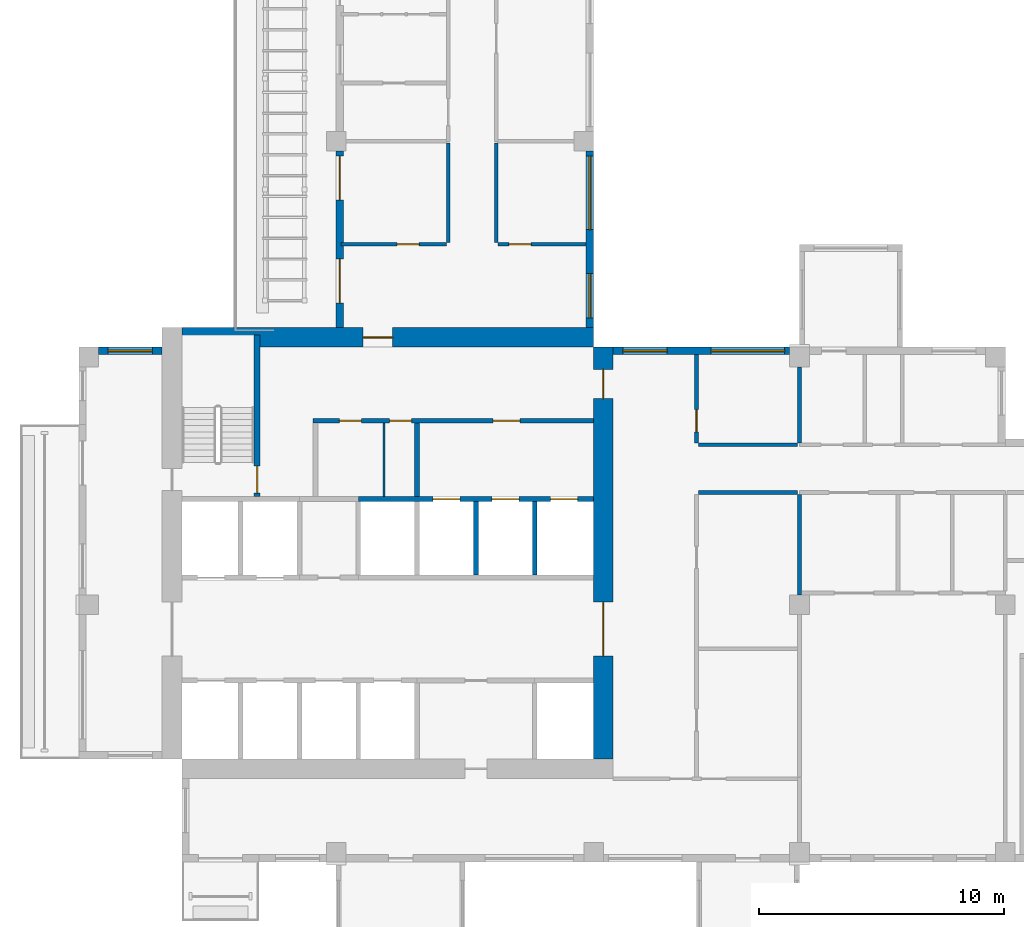
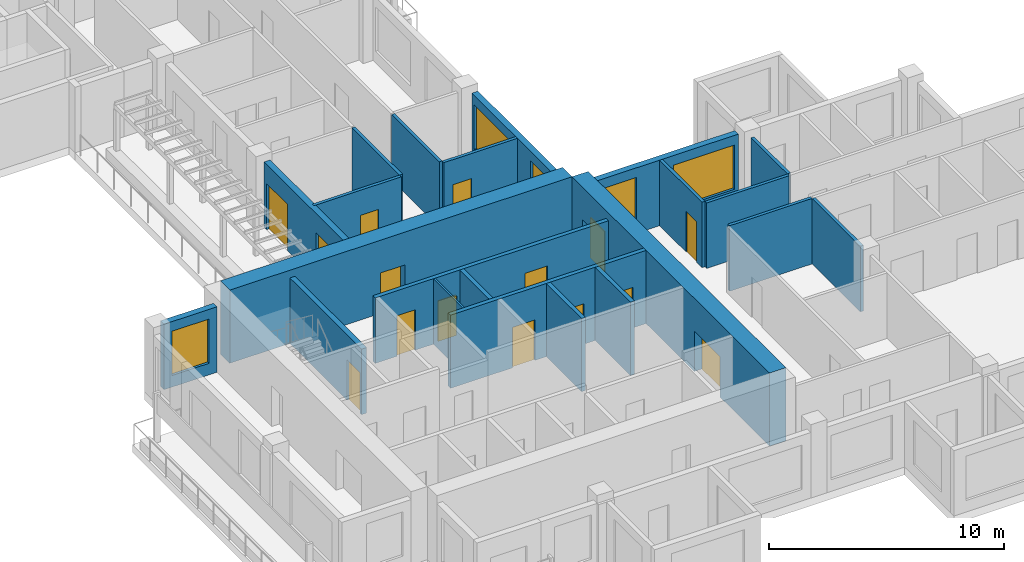
# One storey, part 5 of 14: 22 walls, 15 doors, 5 windows, 20 openings.
"""IFC4 building model written with IfcOpenShell, lengths in metres."""

from ifc_helpers import new_model, si_unit, direction, frame, frame_2d, origin, place, context, subcontext, project, spatial, rectangle, extrude, source, transform, mapped, material, layer, layer_set, type_object, element, fill, save


model = new_model("IFC4")

# Units and contexts
model_context = context("Model", 3, precision=1e-05, world=origin(), true_north=direction((0.0, 1.0)))
body_context = subcontext(model_context, "Body", "Model", "MODEL_VIEW")
ifc_project = project(units=[si_unit("LENGTHUNIT", "METRE"), si_unit("AREAUNIT", "SQUARE_METRE"), si_unit("VOLUMEUNIT", "CUBIC_METRE"), si_unit("PLANEANGLEUNIT", "RADIAN"), si_unit("MASSUNIT", "GRAM", prefix="KILO")], contexts=[model_context])

# Site, building, storey
site_placement = place(None, origin())
site = spatial("IfcSite", under=ifc_project, at=site_placement, CompositionType="ELEMENT")
building_placement = place(site_placement, origin())
building = spatial("IfcBuilding", under=site, at=building_placement, Name="Aurelian Terraces", CompositionType="ELEMENT")
storey_placement = place(building_placement, frame((0.0, 0.0, 231.0)))
storey = spatial("IfcBuildingStorey", under=building, at=storey_placement, Name="L52", CompositionType="ELEMENT", Elevation=231.0)

# Wall, openings, doors
ifc_material_1 = material(Name="Concrete fc' 70 MPa", Category="concrete")
ifc_layer_1 = layer(ifc_material_1, 0.8)
ifc_layer_set_1 = layer_set([ifc_layer_1], Name="CORE WALL 800 FC70")
wall_type_1 = type_object("IfcWallType", Name="CORE WALL 800 FC70", PredefinedType="SHEAR", material=ifc_layer_set_1)
shared_shape_1 = source(origin(), body_context, "Body", "SweptSolid", [
    extrude(rectangle(XDim=16.8, YDim=0.8, at=frame_2d((8.4, 0.0))), origin(), (0.0, 0.0, 1.0), 3.8),
])
wall_1_placement = place(storey_placement, frame((21.4, 4.2, 0.0), z_axis=(0.0, 0.0, 1.0), x_axis=(0.0, 1.0, 0.0)))
wall_1 = element("IfcWall", 1, at=wall_1_placement, inside=storey, type_object=wall_type_1, Name="Core wall E L52", PredefinedType="SHEAR", context=body_context, shape_type="MappedRepresentation", body=[
    mapped(shared_shape_1, transform((0.0, 0.0, 0.0), scale=1.0)),
])
shared_shape_2 = source(origin(), body_context, "Body", "SweptSolid", [
    extrude(rectangle(XDim=2.2, YDim=2.1, at=frame_2d((1.1, 1.05))), frame((0.0, 0.41, 0.0), z_axis=(0.0, -1.0, 0.0), x_axis=(1.0, 0.0, 0.0)), (0.0, 0.0, 1.0), 0.82),
])
opening_1_placement = place(wall_1_placement, frame((4.2, 0.0, 0.0)))
opening_1 = element("IfcOpeningElement", 2, at=opening_1_placement, cuts=wall_1, Name="Opening 65521", PredefinedType="OPENING", context=body_context, shape_type="MappedRepresentation", body=[
    mapped(shared_shape_2, transform((0.0, 0.0, 0.0), scale=1.0)),
])
shared_shape_3 = source(origin(), body_context, "Body", "SweptSolid", [
    extrude(rectangle(XDim=1.2, YDim=2.1, at=frame_2d((0.6, 1.05))), frame((0.0, 0.41, 0.0), z_axis=(0.0, -1.0, 0.0), x_axis=(1.0, 0.0, 0.0)), (0.0, 0.0, 1.0), 0.82),
])
opening_2_placement = place(wall_1_placement, frame((14.7, 0.0, 0.0)))
opening_2 = element("IfcOpeningElement", 3, at=opening_2_placement, cuts=wall_1, Name="Opening 65524", PredefinedType="OPENING", context=body_context, shape_type="MappedRepresentation", body=[
    mapped(shared_shape_3, transform((0.0, 0.0, 0.0), scale=1.0)),
])
ifc_material_2 = material(Name="Steel door leaf", Category="steel")
door_type_1 = type_object("IfcDoorType", Name="Core fire door 1200x2100", OperationType="SINGLE_SWING_LEFT", PredefinedType="DOOR", material=ifc_material_2)
shared_shape_4 = source(origin(), body_context, "Body", "SweptSolid", [
    extrude(rectangle(XDim=1.2, YDim=2.1, at=frame_2d((0.6, 1.05))), frame((0.0, 0.025, 0.0), z_axis=(0.0, -1.0, 0.0), x_axis=(1.0, 0.0, 0.0)), (0.0, 0.0, 1.0), 0.05),
])
door_1_placement = place(opening_2_placement, origin())
door_1 = element("IfcDoor", 4, at=door_1_placement, inside=storey, type_object=door_type_1, Name="Core door 65524", OperationType="SINGLE_SWING_LEFT", OverallHeight=2.1, OverallWidth=1.2, PredefinedType="DOOR", context=body_context, shape_type="MappedRepresentation", body=[
    mapped(shared_shape_4, transform((0.0, 0.0, 0.0), scale=1.0)),
])
fill(opening_2, door_1)
door_type_2 = type_object("IfcDoorType", Name="Core double door 2200x2100", OperationType="DOUBLE_DOOR_SINGLE_SWING", PredefinedType="DOOR", material=ifc_material_2)
shared_shape_5 = source(origin(), body_context, "Body", "SweptSolid", [
    extrude(rectangle(XDim=2.2, YDim=2.1, at=frame_2d((1.1, 1.05))), frame((0.0, 0.025, 0.0), z_axis=(0.0, -1.0, 0.0), x_axis=(1.0, 0.0, 0.0)), (0.0, 0.0, 1.0), 0.05),
])
door_2_placement = place(opening_1_placement, origin())
door_2 = element("IfcDoor", 5, at=door_2_placement, inside=storey, type_object=door_type_2, Name="Core door 65521", OperationType="DOUBLE_DOOR_SINGLE_SWING", OverallHeight=2.1, OverallWidth=2.2, PredefinedType="DOOR", context=body_context, shape_type="MappedRepresentation", body=[
    mapped(shared_shape_5, transform((0.0, 0.0, 0.0), scale=1.0)),
])
fill(opening_1, door_2)

# Wall, opening, door
wall_2_placement = place(storey_placement, frame((4.2, 21.4, 0.0), z_axis=(0.0, 0.0, 1.0), x_axis=(1.0, 0.0, 0.0)))
wall_2 = element("IfcWall", 6, at=wall_2_placement, inside=storey, type_object=wall_type_1, Name="Core wall N L52", PredefinedType="SHEAR", context=body_context, shape_type="MappedRepresentation", body=[
    mapped(shared_shape_1, transform((0.0, 0.0, 0.0), scale=1.0)),
])
opening_3_placement = place(wall_2_placement, frame((7.4, 0.0, 0.0)))
opening_3 = element("IfcOpeningElement", 7, at=opening_3_placement, cuts=wall_2, Name="Opening 65523", PredefinedType="OPENING", context=body_context, shape_type="MappedRepresentation", body=[
    mapped(shared_shape_3, transform((0.0, 0.0, 0.0), scale=1.0)),
])
door_type_3 = type_object("IfcDoorType", Name="Core fire door 1200x2100 right", OperationType="SINGLE_SWING_RIGHT", PredefinedType="DOOR", material=ifc_material_2)
door_3_placement = place(opening_3_placement, origin())
door_3 = element("IfcDoor", 8, at=door_3_placement, inside=storey, type_object=door_type_3, Name="Core door 65523", OperationType="SINGLE_SWING_RIGHT", OverallHeight=2.1, OverallWidth=1.2, PredefinedType="DOOR", context=body_context, shape_type="MappedRepresentation", body=[
    mapped(shared_shape_4, transform((0.0, 0.0, 0.0), scale=1.0)),
])
fill(opening_3, door_3)

# Wall, openings, windows
ifc_material_3 = material(Name="Terracotta rainscreen cladding", Category="masonry")
ifc_layer_2 = layer(ifc_material_3, 0.3)
ifc_layer_set_2 = layer_set([ifc_layer_2], Name="EW-300")
wall_type_2 = type_object("IfcWallType", Name="EW-300", PredefinedType="STANDARD", material=ifc_layer_set_2)
shared_shape_6 = source(origin(), body_context, "Body", "SweptSolid", [
    extrude(rectangle(XDim=7.2, YDim=0.3, at=frame_2d((3.6, 0.0))), origin(), (0.0, 0.0, 1.0), 3.4),
])
wall_3_placement = place(storey_placement, frame((29.0, 20.85, 0.0), z_axis=(0.0, 0.0, 1.0), x_axis=(-1.0, 0.0, 0.0)))
wall_3 = element("IfcWall", 9, at=wall_3_placement, inside=storey, type_object=wall_type_2, Name="External wall L52 F07.17", PredefinedType="STANDARD", context=body_context, shape_type="MappedRepresentation", body=[
    mapped(shared_shape_6, transform((0.0, 0.0, 0.0), scale=1.0)),
])
shared_shape_7 = source(origin(), body_context, "Body", "SweptSolid", [
    extrude(rectangle(XDim=3.0, YDim=2.3, at=frame_2d((1.5, 1.15))), frame((0.0, 0.16, 0.0), z_axis=(0.0, -1.0, 0.0), x_axis=(1.0, 0.0, 0.0)), (0.0, 0.0, 1.0), 0.32),
])
opening_4_placement = place(wall_3_placement, frame((0.2, 0.0, 0.6)))
opening_4 = element("IfcOpeningElement", 10, at=opening_4_placement, cuts=wall_3, Name="Opening W3023", PredefinedType="OPENING", context=body_context, shape_type="MappedRepresentation", body=[
    mapped(shared_shape_7, transform((0.0, 0.0, 0.0), scale=1.0)),
])
shared_shape_8 = source(origin(), body_context, "Body", "SweptSolid", [
    extrude(rectangle(XDim=1.8, YDim=2.3, at=frame_2d((0.9, 1.15))), frame((0.0, 0.16, 0.0), z_axis=(0.0, -1.0, 0.0), x_axis=(1.0, 0.0, 0.0)), (0.0, 0.0, 1.0), 0.32),
])
opening_5_placement = place(wall_3_placement, frame((5.0, 0.0, 0.6)))
opening_5 = element("IfcOpeningElement", 11, at=opening_5_placement, cuts=wall_3, Name="Opening W1823", PredefinedType="OPENING", context=body_context, shape_type="MappedRepresentation", body=[
    mapped(shared_shape_8, transform((0.0, 0.0, 0.0), scale=1.0)),
])
ifc_material_4 = material(Name="Clear glazing", Category="glass")
window_type_1 = type_object("IfcWindowType", Name="W-3000x2300", PartitioningType="SINGLE_PANEL", PredefinedType="WINDOW", material=ifc_material_4)
shared_shape_9 = source(origin(), body_context, "Body", "SweptSolid", [
    extrude(rectangle(XDim=3.0, YDim=2.3, at=frame_2d((1.5, 1.15))), frame((0.0, 0.03, 0.0), z_axis=(0.0, -1.0, 0.0), x_axis=(1.0, 0.0, 0.0)), (0.0, 0.0, 1.0), 0.06),
])
window_1_placement = place(opening_4_placement, origin())
window_1 = element("IfcWindow", 12, at=window_1_placement, inside=storey, type_object=window_type_1, Name="Window L52 L52-F07-17-0", OverallHeight=2.3, OverallWidth=3.0, PartitioningType="SINGLE_PANEL", PredefinedType="WINDOW", context=body_context, shape_type="MappedRepresentation", body=[
    mapped(shared_shape_9, transform((0.0, 0.0, 0.0), scale=1.0)),
])
fill(opening_4, window_1)
window_type_2 = type_object("IfcWindowType", Name="W-1800x2300", PartitioningType="SINGLE_PANEL", PredefinedType="WINDOW", material=ifc_material_4)
shared_shape_10 = source(origin(), body_context, "Body", "SweptSolid", [
    extrude(rectangle(XDim=1.8, YDim=2.3, at=frame_2d((0.9, 1.15))), frame((0.0, 0.03, 0.0), z_axis=(0.0, -1.0, 0.0), x_axis=(1.0, 0.0, 0.0)), (0.0, 0.0, 1.0), 0.06),
])
window_2_placement = place(opening_5_placement, origin())
window_2 = element("IfcWindow", 13, at=window_2_placement, inside=storey, type_object=window_type_2, Name="Window L52 L52-F07-17-1", OverallHeight=2.3, OverallWidth=1.8, PartitioningType="SINGLE_PANEL", PredefinedType="WINDOW", context=body_context, shape_type="MappedRepresentation", body=[
    mapped(shared_shape_10, transform((0.0, 0.0, 0.0), scale=1.0)),
])
fill(opening_5, window_2)

wall_4_placement = place(storey_placement, frame((20.85, 21.8, 0.0), z_axis=(0.0, 0.0, 1.0), x_axis=(0.0, 1.0, 0.0)))
wall_4 = element("IfcWall", 14, at=wall_4_placement, inside=storey, type_object=wall_type_2, Name="External wall L52 F08.18", PredefinedType="STANDARD", context=body_context, shape_type="MappedRepresentation", body=[
    mapped(shared_shape_6, transform((0.0, 0.0, 0.0), scale=1.0)),
])
opening_6_placement = place(wall_4_placement, frame((0.4, 0.0, 0.6)))
opening_6 = element("IfcOpeningElement", 15, at=opening_6_placement, cuts=wall_4, Name="Opening W1823", PredefinedType="OPENING", context=body_context, shape_type="MappedRepresentation", body=[
    mapped(shared_shape_8, transform((0.0, 0.0, 0.0), scale=1.0)),
])
opening_7_placement = place(wall_4_placement, frame((4.0, 0.0, 0.6)))
opening_7 = element("IfcOpeningElement", 16, at=opening_7_placement, cuts=wall_4, Name="Opening W3023", PredefinedType="OPENING", context=body_context, shape_type="MappedRepresentation", body=[
    mapped(shared_shape_7, transform((0.0, 0.0, 0.0), scale=1.0)),
])
window_3_placement = place(opening_7_placement, origin())
window_3 = element("IfcWindow", 17, at=window_3_placement, inside=storey, type_object=window_type_1, Name="Window L52 L52-F08-18-1", OverallHeight=2.3, OverallWidth=3.0, PartitioningType="SINGLE_PANEL", PredefinedType="WINDOW", context=body_context, shape_type="MappedRepresentation", body=[
    mapped(shared_shape_9, transform((0.0, 0.0, 0.0), scale=1.0)),
])
fill(opening_7, window_3)
window_4_placement = place(opening_6_placement, origin())
window_4 = element("IfcWindow", 18, at=window_4_placement, inside=storey, type_object=window_type_2, Name="Window L52 L52-F08-18-0", OverallHeight=2.3, OverallWidth=1.8, PartitioningType="SINGLE_PANEL", PredefinedType="WINDOW", context=body_context, shape_type="MappedRepresentation", body=[
    mapped(shared_shape_10, transform((0.0, 0.0, 0.0), scale=1.0)),
])
fill(opening_6, window_4)

# Wall, openings, doors
wall_5_placement = place(storey_placement, frame((10.65, 29.0, 0.0), z_axis=(0.0, 0.0, 1.0), x_axis=(0.0, -1.0, 0.0)))
wall_5 = element("IfcWall", 19, at=wall_5_placement, inside=storey, type_object=wall_type_2, Name="External wall L52 F18.32", PredefinedType="STANDARD", context=body_context, shape_type="MappedRepresentation", body=[
    mapped(shared_shape_6, transform((0.0, 0.0, 0.0), scale=1.0)),
])
shared_shape_11 = source(origin(), body_context, "Body", "SweptSolid", [
    extrude(rectangle(XDim=1.8, YDim=2.4, at=frame_2d((0.9, 1.2))), frame((0.0, 0.16, 0.0), z_axis=(0.0, -1.0, 0.0), x_axis=(1.0, 0.0, 0.0)), (0.0, 0.0, 1.0), 0.32),
])
opening_8_placement = place(wall_5_placement, frame((0.2, 0.0, 0.0)))
opening_8 = element("IfcOpeningElement", 20, at=opening_8_placement, cuts=wall_5, Name="Opening 85205", PredefinedType="OPENING", context=body_context, shape_type="MappedRepresentation", body=[
    mapped(shared_shape_11, transform((0.0, 0.0, 0.0), scale=1.0)),
])
opening_9_placement = place(wall_5_placement, frame((4.4, 0.0, 0.0)))
opening_9 = element("IfcOpeningElement", 21, at=opening_9_placement, cuts=wall_5, Name="Opening 85206", PredefinedType="OPENING", context=body_context, shape_type="MappedRepresentation", body=[
    mapped(shared_shape_11, transform((0.0, 0.0, 0.0), scale=1.0)),
])
door_type_4 = type_object("IfcDoorType", Name="BD-1800x2400", OperationType="SLIDING_TO_LEFT", PredefinedType="DOOR", material=ifc_material_4)
shared_shape_12 = source(origin(), body_context, "Body", "SweptSolid", [
    extrude(rectangle(XDim=1.8, YDim=2.4, at=frame_2d((0.9, 1.2))), frame((0.0, 0.025, 0.0), z_axis=(0.0, -1.0, 0.0), x_axis=(1.0, 0.0, 0.0)), (0.0, 0.0, 1.0), 0.05),
])
door_4_placement = place(opening_8_placement, origin())
door_4 = element("IfcDoor", 22, at=door_4_placement, inside=storey, type_object=door_type_4, Name="Terrace door L52 L52-F18-32.3", OperationType="SLIDING_TO_LEFT", OverallHeight=2.4, OverallWidth=1.8, PredefinedType="DOOR", context=body_context, shape_type="MappedRepresentation", body=[
    mapped(shared_shape_12, transform((0.0, 0.0, 0.0), scale=1.0)),
])
fill(opening_8, door_4)
door_5_placement = place(opening_9_placement, origin())
door_5 = element("IfcDoor", 23, at=door_5_placement, inside=storey, type_object=door_type_4, Name="Terrace door L52 L52-F18-32.4", OperationType="SLIDING_TO_LEFT", OverallHeight=2.4, OverallWidth=1.8, PredefinedType="DOOR", context=body_context, shape_type="MappedRepresentation", body=[
    mapped(shared_shape_12, transform((0.0, 0.0, 0.0), scale=1.0)),
])
fill(opening_9, door_5)

# Wall, opening, window
shared_shape_13 = source(origin(), body_context, "Body", "SweptSolid", [
    extrude(rectangle(XDim=2.6, YDim=0.3, at=frame_2d((1.3, 0.0))), origin(), (0.0, 0.0, 1.0), 3.4),
])
wall_6_placement = place(storey_placement, frame((3.4, 20.85, 0.0), z_axis=(0.0, 0.0, 1.0), x_axis=(-1.0, 0.0, 0.0)))
wall_6 = element("IfcWall", 24, at=wall_6_placement, inside=storey, type_object=wall_type_2, Name="External wall L52 F21.35", PredefinedType="STANDARD", context=body_context, shape_type="MappedRepresentation", body=[
    mapped(shared_shape_13, transform((0.0, 0.0, 0.0), scale=1.0)),
])
opening_10_placement = place(wall_6_placement, frame((0.4, 0.0, 0.6)))
opening_10 = element("IfcOpeningElement", 25, at=opening_10_placement, cuts=wall_6, Name="Opening W1823", PredefinedType="OPENING", context=body_context, shape_type="MappedRepresentation", body=[
    mapped(shared_shape_8, transform((0.0, 0.0, 0.0), scale=1.0)),
])
window_5_placement = place(opening_10_placement, origin())
window_5 = element("IfcWindow", 26, at=window_5_placement, inside=storey, type_object=window_type_2, Name="Window L52 L52-F21-35-0", OverallHeight=2.3, OverallWidth=1.8, PartitioningType="SINGLE_PANEL", PredefinedType="WINDOW", context=body_context, shape_type="MappedRepresentation", body=[
    mapped(shared_shape_10, transform((0.0, 0.0, 0.0), scale=1.0)),
])
fill(opening_10, window_5)

# Walls
ifc_material_5 = material(Name="Concrete fc' 40 MPa", Category="concrete")
ifc_layer_3 = layer(ifc_material_5, 0.2)
ifc_layer_set_3 = layer_set([ifc_layer_3], Name="Lift shaft wall 200")
wall_type_3 = type_object("IfcWallType", Name="Lift shaft wall 200", PredefinedType="SOLIDWALL", material=ifc_layer_set_3)
shared_shape_14 = source(origin(), body_context, "Body", "SweptSolid", [
    extrude(rectangle(XDim=3.0, YDim=0.2, at=frame_2d((1.5, 0.0))), origin(), (0.0, 0.0, 1.0), 3.8),
])
for number, where, z_axis, x_axis, name in (
    (27, (16.2, 11.7, 0.0), (0.0, 0.0, 1.0), (0.0, 1.0, 0.0), "L52 core wall CD-B5"),
    (28, (18.6, 11.7, 0.0), (0.0, 0.0, 1.0), (0.0, 1.0, 0.0), "L52 core wall CD-B6"),
):
    element("IfcWall", number, at=place(storey_placement, frame(where, z_axis=z_axis, x_axis=x_axis)), inside=storey, type_object=wall_type_3, Name=name, PredefinedType="SOLIDWALL", context=body_context, shape_type="MappedRepresentation", body=[
        mapped(shared_shape_14, transform((0.0, 0.0, 0.0), scale=1.0)),
    ])

# Wall, openings, doors
shared_shape_15 = source(origin(), body_context, "Body", "SweptSolid", [
    extrude(rectangle(XDim=9.6, YDim=0.2, at=frame_2d((4.8, 0.0))), origin(), (0.0, 0.0, 1.0), 3.8),
])
wall_7_placement = place(storey_placement, frame((11.4, 14.8, 0.0), z_axis=(0.0, 0.0, 1.0), x_axis=(1.0, 0.0, 0.0)))
wall_7 = element("IfcWall", 29, at=wall_7_placement, inside=storey, type_object=wall_type_3, Name="L52 core wall CF-BB3", PredefinedType="SOLIDWALL", context=body_context, shape_type="MappedRepresentation", body=[
    mapped(shared_shape_15, transform((0.0, 0.0, 0.0), scale=1.0)),
])
shared_shape_16 = source(origin(), body_context, "Body", "SweptSolid", [
    extrude(rectangle(XDim=1.1, YDim=2.1, at=frame_2d((0.55, 1.05))), frame((0.0, 0.11, 0.0), z_axis=(0.0, -1.0, 0.0), x_axis=(1.0, 0.0, 0.0)), (0.0, 0.0, 1.0), 0.22),
])
opening_11_placement = place(wall_7_placement, frame((3.05, 0.0, 0.0)))
opening_11 = element("IfcOpeningElement", 30, at=opening_11_placement, cuts=wall_7, Name="Opening 65508", PredefinedType="OPENING", context=body_context, shape_type="MappedRepresentation", body=[
    mapped(shared_shape_16, transform((0.0, 0.0, 0.0), scale=1.0)),
])
opening_12_placement = place(wall_7_placement, frame((5.45, 0.0, 0.0)))
opening_12 = element("IfcOpeningElement", 31, at=opening_12_placement, cuts=wall_7, Name="Opening 65509", PredefinedType="OPENING", context=body_context, shape_type="MappedRepresentation", body=[
    mapped(shared_shape_16, transform((0.0, 0.0, 0.0), scale=1.0)),
])
opening_13_placement = place(wall_7_placement, frame((7.85, 0.0, 0.0)))
opening_13 = element("IfcOpeningElement", 32, at=opening_13_placement, cuts=wall_7, Name="Opening 65510", PredefinedType="OPENING", context=body_context, shape_type="MappedRepresentation", body=[
    mapped(shared_shape_16, transform((0.0, 0.0, 0.0), scale=1.0)),
])
ifc_material_6 = material(Name="Stainless steel", Category="steel")
door_type_5 = type_object("IfcDoorType", Name="Lift landing door 1100x2100", OperationType="SLIDING_TO_LEFT", PredefinedType="DOOR", material=ifc_material_6)
shared_shape_17 = source(origin(), body_context, "Body", "SweptSolid", [
    extrude(rectangle(XDim=1.1, YDim=2.1, at=frame_2d((0.55, 1.05))), frame((0.0, 0.025, 0.0), z_axis=(0.0, -1.0, 0.0), x_axis=(1.0, 0.0, 0.0)), (0.0, 0.0, 1.0), 0.05),
])
door_6_placement = place(opening_11_placement, origin())
door_6 = element("IfcDoor", 33, at=door_6_placement, inside=storey, type_object=door_type_5, Name="Lift landing door F1 L52", OperationType="SLIDING_TO_LEFT", OverallHeight=2.1, OverallWidth=1.1, PredefinedType="DOOR", context=body_context, shape_type="MappedRepresentation", body=[
    mapped(shared_shape_17, transform((0.0, 0.0, 0.0), scale=1.0)),
])
fill(opening_11, door_6)
door_7_placement = place(opening_12_placement, origin())
door_7 = element("IfcDoor", 34, at=door_7_placement, inside=storey, type_object=door_type_5, Name="Lift landing door F2 L52", OperationType="SLIDING_TO_LEFT", OverallHeight=2.1, OverallWidth=1.1, PredefinedType="DOOR", context=body_context, shape_type="MappedRepresentation", body=[
    mapped(shared_shape_17, transform((0.0, 0.0, 0.0), scale=1.0)),
])
fill(opening_12, door_7)
door_8_placement = place(opening_13_placement, origin())
door_8 = element("IfcDoor", 35, at=door_8_placement, inside=storey, type_object=door_type_5, Name="Lift landing door F3 L52", OperationType="SLIDING_TO_LEFT", OverallHeight=2.1, OverallWidth=1.1, PredefinedType="DOOR", context=body_context, shape_type="MappedRepresentation", body=[
    mapped(shared_shape_17, transform((0.0, 0.0, 0.0), scale=1.0)),
])
fill(opening_13, door_8)

# Walls
ifc_material_7 = material(Name="Gypsum board on steel studs", Category="steel")
ifc_layer_4 = layer(ifc_material_7, 0.2)
ifc_layer_set_4 = layer_set([ifc_layer_4], Name="Core partition 200")
wall_type_4 = type_object("IfcWallType", Name="Core partition 200", PredefinedType="PARTITIONING", material=ifc_layer_set_4)
shared_shape_18 = source(origin(), body_context, "Body", "SweptSolid", [
    extrude(rectangle(XDim=3.0, YDim=0.2, at=frame_2d((1.5, 0.0))), origin(), (0.0, 0.0, 1.0), 3.4),
])
wall_8_placement = place(storey_placement, frame((13.8, 14.9, 0.0), z_axis=(0.0, 0.0, 1.0), x_axis=(0.0, 1.0, 0.0)))
element("IfcWall", 36, at=wall_8_placement, inside=storey, type_object=wall_type_4, Name="L52 core wall CP-FFL", PredefinedType="PARTITIONING", context=body_context, shape_type="MappedRepresentation", body=[
    mapped(shared_shape_18, transform((0.0, 0.0, 0.0), scale=1.0)),
])
ifc_layer_5 = layer(ifc_material_7, 0.1)
ifc_layer_set_5 = layer_set([ifc_layer_5], Name="Core partition 100")
wall_type_5 = type_object("IfcWallType", Name="Core partition 100", PredefinedType="PARTITIONING", material=ifc_layer_set_5)
shared_shape_19 = source(origin(), body_context, "Body", "SweptSolid", [
    extrude(rectangle(XDim=3.0, YDim=0.1, at=frame_2d((1.5, 0.0))), origin(), (0.0, 0.0, 1.0), 3.4),
])
wall_9_placement = place(storey_placement, frame((12.45, 14.9, 0.0), z_axis=(0.0, 0.0, 1.0), x_axis=(0.0, 1.0, 0.0)))
element("IfcWall", 37, at=wall_9_placement, inside=storey, type_object=wall_type_5, Name="L52 core wall CP-SV1", PredefinedType="PARTITIONING", context=body_context, shape_type="MappedRepresentation", body=[
    mapped(shared_shape_19, transform((0.0, 0.0, 0.0), scale=1.0)),
])

# Wall, opening, door
ifc_layer_6 = layer(ifc_material_5, 0.25)
ifc_layer_set_6 = layer_set([ifc_layer_6], Name="Stair enclosure wall 250")
wall_type_6 = type_object("IfcWallType", Name="Stair enclosure wall 250", PredefinedType="SOLIDWALL", material=ifc_layer_set_6)
shared_shape_20 = source(origin(), body_context, "Body", "SweptSolid", [
    extrude(rectangle(XDim=6.6, YDim=0.25, at=frame_2d((3.3, 0.0))), origin(), (0.0, 0.0, 1.0), 3.4),
])
wall_10_placement = place(storey_placement, frame((7.275, 14.9, 0.0), z_axis=(0.0, 0.0, 1.0), x_axis=(0.0, 1.0, 0.0)))
wall_10 = element("IfcWall", 38, at=wall_10_placement, inside=storey, type_object=wall_type_6, Name="L52 core wall ST-S1-E", PredefinedType="SOLIDWALL", context=body_context, shape_type="MappedRepresentation", body=[
    mapped(shared_shape_20, transform((0.0, 0.0, 0.0), scale=1.0)),
])
shared_shape_21 = source(origin(), body_context, "Body", "SweptSolid", [
    extrude(rectangle(XDim=1.1, YDim=2.1, at=frame_2d((0.55, 1.05))), frame((0.0, 0.135, 0.0), z_axis=(0.0, -1.0, 0.0), x_axis=(1.0, 0.0, 0.0)), (0.0, 0.0, 1.0), 0.27),
])
opening_14_placement = place(wall_10_placement, frame((0.15, 0.0, 0.0)))
opening_14 = element("IfcOpeningElement", 39, at=opening_14_placement, cuts=wall_10, Name="Opening 65511", PredefinedType="OPENING", context=body_context, shape_type="MappedRepresentation", body=[
    mapped(shared_shape_21, transform((0.0, 0.0, 0.0), scale=1.0)),
])
door_type_6 = type_object("IfcDoorType", Name="Core fire door 1100x2100", OperationType="SINGLE_SWING_LEFT", PredefinedType="DOOR", material=ifc_material_2)
door_9_placement = place(opening_14_placement, origin())
door_9 = element("IfcDoor", 40, at=door_9_placement, inside=storey, type_object=door_type_6, Name="Stair door 65511", OperationType="SINGLE_SWING_LEFT", OverallHeight=2.1, OverallWidth=1.1, PredefinedType="DOOR", context=body_context, shape_type="MappedRepresentation", body=[
    mapped(shared_shape_17, transform((0.0, 0.0, 0.0), scale=1.0)),
])
fill(opening_14, door_9)

# Wall, openings, doors
shared_shape_22 = source(origin(), body_context, "Body", "SweptSolid", [
    extrude(rectangle(XDim=11.45, YDim=0.2, at=frame_2d((5.725, 0.0))), origin(), (0.0, 0.0, 1.0), 3.4),
])
wall_11_placement = place(storey_placement, frame((9.55, 18.0, 0.0), z_axis=(0.0, 0.0, 1.0), x_axis=(1.0, 0.0, 0.0)))
wall_11 = element("IfcWall", 41, at=wall_11_placement, inside=storey, type_object=wall_type_4, Name="L52 core wall CP-NORTH", PredefinedType="PARTITIONING", context=body_context, shape_type="MappedRepresentation", body=[
    mapped(shared_shape_22, transform((0.0, 0.0, 0.0), scale=1.0)),
])
shared_shape_23 = source(origin(), body_context, "Body", "SweptSolid", [
    extrude(rectangle(XDim=0.9, YDim=2.1, at=frame_2d((0.45, 1.05))), frame((0.0, 0.11, 0.0), z_axis=(0.0, -1.0, 0.0), x_axis=(1.0, 0.0, 0.0)), (0.0, 0.0, 1.0), 0.22),
])
opening_15_placement = place(wall_11_placement, frame((1.075, 0.0, 0.0)))
opening_15 = element("IfcOpeningElement", 42, at=opening_15_placement, cuts=wall_11, Name="Opening 65512", PredefinedType="OPENING", context=body_context, shape_type="MappedRepresentation", body=[
    mapped(shared_shape_23, transform((0.0, 0.0, 0.0), scale=1.0)),
])
opening_16_placement = place(wall_11_placement, frame((3.125, 0.0, 0.0)))
opening_16 = element("IfcOpeningElement", 43, at=opening_16_placement, cuts=wall_11, Name="Opening 65513", PredefinedType="OPENING", context=body_context, shape_type="MappedRepresentation", body=[
    mapped(shared_shape_23, transform((0.0, 0.0, 0.0), scale=1.0)),
])
opening_17_placement = place(wall_11_placement, frame((7.35, 0.0, 0.0)))
opening_17 = element("IfcOpeningElement", 44, at=opening_17_placement, cuts=wall_11, Name="Opening 65514", PredefinedType="OPENING", context=body_context, shape_type="MappedRepresentation", body=[
    mapped(shared_shape_16, transform((0.0, 0.0, 0.0), scale=1.0)),
])
door_type_7 = type_object("IfcDoorType", Name="Core service door 900x2100 right", OperationType="SINGLE_SWING_RIGHT", PredefinedType="DOOR", material=ifc_material_2)
shared_shape_24 = source(origin(), body_context, "Body", "SweptSolid", [
    extrude(rectangle(XDim=0.9, YDim=2.1, at=frame_2d((0.45, 1.05))), frame((0.0, 0.025, 0.0), z_axis=(0.0, -1.0, 0.0), x_axis=(1.0, 0.0, 0.0)), (0.0, 0.0, 1.0), 0.05),
])
door_10_placement = place(opening_15_placement, origin())
door_10 = element("IfcDoor", 45, at=door_10_placement, inside=storey, type_object=door_type_7, Name="Room door 65512", OperationType="SINGLE_SWING_RIGHT", OverallHeight=2.1, OverallWidth=0.9, PredefinedType="DOOR", context=body_context, shape_type="MappedRepresentation", body=[
    mapped(shared_shape_24, transform((0.0, 0.0, 0.0), scale=1.0)),
])
fill(opening_15, door_10)
door_type_8 = type_object("IfcDoorType", Name="Core riser door 900x2100", OperationType="SINGLE_SWING_LEFT", PredefinedType="DOOR", material=ifc_material_2)
door_11_placement = place(opening_16_placement, origin())
door_11 = element("IfcDoor", 46, at=door_11_placement, inside=storey, type_object=door_type_8, Name="Room door 65513", OperationType="SINGLE_SWING_LEFT", OverallHeight=2.1, OverallWidth=0.9, PredefinedType="DOOR", context=body_context, shape_type="MappedRepresentation", body=[
    mapped(shared_shape_24, transform((0.0, 0.0, 0.0), scale=1.0)),
])
fill(opening_16, door_11)
door_type_9 = type_object("IfcDoorType", Name="Core fire door 1100x2100 right", OperationType="SINGLE_SWING_RIGHT", PredefinedType="DOOR", material=ifc_material_2)
door_12_placement = place(opening_17_placement, origin())
door_12 = element("IfcDoor", 47, at=door_12_placement, inside=storey, type_object=door_type_9, Name="Ff lobby door 65514", OperationType="SINGLE_SWING_RIGHT", OverallHeight=2.1, OverallWidth=1.1, PredefinedType="DOOR", context=body_context, shape_type="MappedRepresentation", body=[
    mapped(shared_shape_17, transform((0.0, 0.0, 0.0), scale=1.0)),
])
fill(opening_17, door_12)

# Wall, opening, door
ifc_layer_7 = layer(ifc_material_7, 0.15)
ifc_layer_set_7 = layer_set([ifc_layer_7], Name="Partition 150")
wall_type_7 = type_object("IfcWallType", Name="Partition 150", PredefinedType="PARTITIONING", material=ifc_layer_set_7)
shared_shape_25 = source(origin(), body_context, "Body", "SweptSolid", [
    extrude(rectangle(XDim=3.6, YDim=0.15, at=frame_2d((1.8, 0.0))), origin(), (0.0, 0.0, 1.0), 3.4),
])
wall_12_placement = place(storey_placement, frame((25.2, 20.7, 0.0), z_axis=(0.0, 0.0, 1.0), x_axis=(0.0, -1.0, 0.0)))
wall_12 = element("IfcWall", 48, at=wall_12_placement, inside=storey, type_object=wall_type_7, Name="Partition", PredefinedType="PARTITIONING", context=body_context, shape_type="MappedRepresentation", body=[
    mapped(shared_shape_25, transform((0.0, 0.0, 0.0), scale=1.0)),
])
shared_shape_26 = source(origin(), body_context, "Body", "SweptSolid", [
    extrude(rectangle(XDim=0.9, YDim=2.1, at=frame_2d((0.45, 1.05))), frame((0.0, 0.085, 0.0), z_axis=(0.0, -1.0, 0.0), x_axis=(1.0, 0.0, 0.0)), (0.0, 0.0, 1.0), 0.17),
])
opening_18_placement = place(wall_12_placement, frame((2.25, 0.0, 0.0)))
opening_18 = element("IfcOpeningElement", 49, at=opening_18_placement, cuts=wall_12, Name="Opening 752003", PredefinedType="OPENING", context=body_context, shape_type="MappedRepresentation", body=[
    mapped(shared_shape_26, transform((0.0, 0.0, 0.0), scale=1.0)),
])
ifc_material_8 = material(Name="Timber door leaf", Category="wood")
door_type_10 = type_object("IfcDoorType", Name="Room door 900x2100 right", OperationType="SINGLE_SWING_RIGHT", PredefinedType="DOOR", material=ifc_material_8)
door_13_placement = place(opening_18_placement, origin())
door_13 = element("IfcDoor", 50, at=door_13_placement, inside=storey, type_object=door_type_10, Name="Door 752003", OperationType="SINGLE_SWING_RIGHT", OverallHeight=2.1, OverallWidth=0.9, PredefinedType="DOOR", context=body_context, shape_type="MappedRepresentation", body=[
    mapped(shared_shape_24, transform((0.0, 0.0, 0.0), scale=1.0)),
])
fill(opening_18, door_13)

wall_13_placement = place(storey_placement, frame((17.1, 25.2, 0.0), z_axis=(0.0, 0.0, 1.0), x_axis=(1.0, 0.0, 0.0)))
wall_13 = element("IfcWall", 51, at=wall_13_placement, inside=storey, type_object=wall_type_7, Name="Partition", PredefinedType="PARTITIONING", context=body_context, shape_type="MappedRepresentation", body=[
    mapped(shared_shape_25, transform((0.0, 0.0, 0.0), scale=1.0)),
])
opening_19_placement = place(wall_13_placement, frame((0.45, 0.0, 0.0)))
opening_19 = element("IfcOpeningElement", 52, at=opening_19_placement, cuts=wall_13, Name="Opening 752018", PredefinedType="OPENING", context=body_context, shape_type="MappedRepresentation", body=[
    mapped(shared_shape_26, transform((0.0, 0.0, 0.0), scale=1.0)),
])
door_14_placement = place(opening_19_placement, origin())
door_14 = element("IfcDoor", 53, at=door_14_placement, inside=storey, type_object=door_type_10, Name="Door 752018", OperationType="SINGLE_SWING_RIGHT", OverallHeight=2.1, OverallWidth=0.9, PredefinedType="DOOR", context=body_context, shape_type="MappedRepresentation", body=[
    mapped(shared_shape_24, transform((0.0, 0.0, 0.0), scale=1.0)),
])
fill(opening_19, door_14)

shared_shape_27 = source(origin(), body_context, "Body", "SweptSolid", [
    extrude(rectangle(XDim=4.295, YDim=0.15, at=frame_2d((2.1475, 0.0))), origin(), (0.0, 0.0, 1.0), 3.4),
])
wall_14_placement = place(storey_placement, frame((10.705, 25.2, 0.0), z_axis=(0.0, 0.0, 1.0), x_axis=(1.0, 0.0, 0.0)))
wall_14 = element("IfcWall", 54, at=wall_14_placement, inside=storey, type_object=wall_type_7, Name="Partition", PredefinedType="PARTITIONING", context=body_context, shape_type="MappedRepresentation", body=[
    mapped(shared_shape_27, transform((0.0, 0.0, 0.0), scale=1.0)),
])
opening_20_placement = place(wall_14_placement, frame((2.2825, 0.0, 0.0)))
opening_20 = element("IfcOpeningElement", 55, at=opening_20_placement, cuts=wall_14, Name="Opening 752017", PredefinedType="OPENING", context=body_context, shape_type="MappedRepresentation", body=[
    mapped(shared_shape_26, transform((0.0, 0.0, 0.0), scale=1.0)),
])
door_type_11 = type_object("IfcDoorType", Name="Room door 900x2100 left", OperationType="SINGLE_SWING_LEFT", PredefinedType="DOOR", material=ifc_material_8)
door_15_placement = place(opening_20_placement, origin())
door_15 = element("IfcDoor", 56, at=door_15_placement, inside=storey, type_object=door_type_11, Name="Door 752017", OperationType="SINGLE_SWING_LEFT", OverallHeight=2.1, OverallWidth=0.9, PredefinedType="DOOR", context=body_context, shape_type="MappedRepresentation", body=[
    mapped(shared_shape_24, transform((0.0, 0.0, 0.0), scale=1.0)),
])
fill(opening_20, door_15)

# Walls
ifc_layer_8 = layer(ifc_material_7, 0.15)
ifc_layer_set_8 = layer_set([ifc_layer_8], Name="Fire partition 150")
wall_type_8 = type_object("IfcWallType", Name="Fire partition 150", PredefinedType="PARTITIONING", material=ifc_layer_set_8)
shared_shape_28 = source(origin(), body_context, "Body", "SweptSolid", [
    extrude(rectangle(XDim=4.05, YDim=0.15, at=frame_2d((2.025, 0.0))), origin(), (0.0, 0.0, 1.0), 3.4),
])
for number, where, z_axis, x_axis, name in (
    (57, (29.325, 15.075, 0.0), (0.0, 0.0, 1.0), (-1.0, 0.0, 0.0), "Corridor wall"),
    (58, (25.275, 17.025, 0.0), (0.0, 0.0, 1.0), (1.0, 0.0, 0.0), "Corridor wall"),
    (59, (15.075, 25.275, 0.0), (0.0, 0.0, 1.0), (0.0, 1.0, 0.0), "Corridor wall"),
    (60, (17.025, 29.325, 0.0), (0.0, 0.0, 1.0), (0.0, -1.0, 0.0), "Corridor wall"),
):
    element("IfcWall", number, at=place(storey_placement, frame(where, z_axis=z_axis, x_axis=x_axis)), inside=storey, type_object=wall_type_8, Name=name, PredefinedType="PARTITIONING", context=body_context, shape_type="MappedRepresentation", body=[
        mapped(shared_shape_28, transform((0.0, 0.0, 0.0), scale=1.0)),
    ])
shared_shape_29 = source(origin(), body_context, "Body", "SweptSolid", [
    extrude(rectangle(XDim=4.101, YDim=0.15, at=frame_2d((2.0505, 0.0))), origin(), (0.0, 0.0, 1.0), 3.4),
])
wall_15_placement = place(storey_placement, frame((29.4, 10.899, 0.0), z_axis=(0.0, 0.0, 1.0), x_axis=(0.0, 1.0, 0.0)))
element("IfcWall", 61, at=wall_15_placement, inside=storey, type_object=wall_type_7, Name="Partition", PredefinedType="PARTITIONING", context=body_context, shape_type="MappedRepresentation", body=[
    mapped(shared_shape_29, transform((0.0, 0.0, 0.0), scale=1.0)),
])
shared_shape_30 = source(origin(), body_context, "Body", "SweptSolid", [
    extrude(rectangle(XDim=3.101, YDim=0.15, at=frame_2d((1.5505, 0.0))), origin(), (0.0, 0.0, 1.0), 3.4),
])
wall_16_placement = place(storey_placement, frame((29.4, 17.1, 0.0), z_axis=(0.0, 0.0, 1.0), x_axis=(0.0, 1.0, 0.0)))
element("IfcWall", 62, at=wall_16_placement, inside=storey, type_object=wall_type_7, Name="Partition", PredefinedType="PARTITIONING", context=body_context, shape_type="MappedRepresentation", body=[
    mapped(shared_shape_30, transform((0.0, 0.0, 0.0), scale=1.0)),
])

save(model, "model.ifc")
